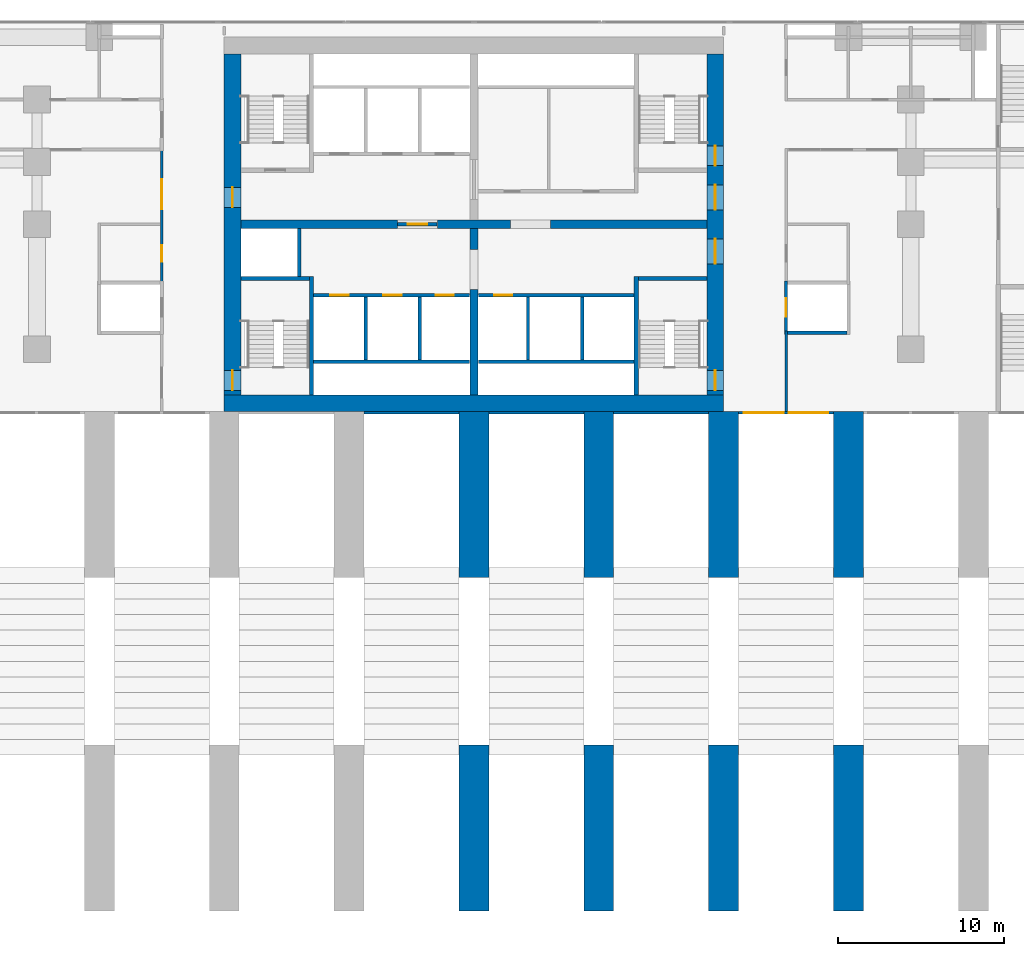
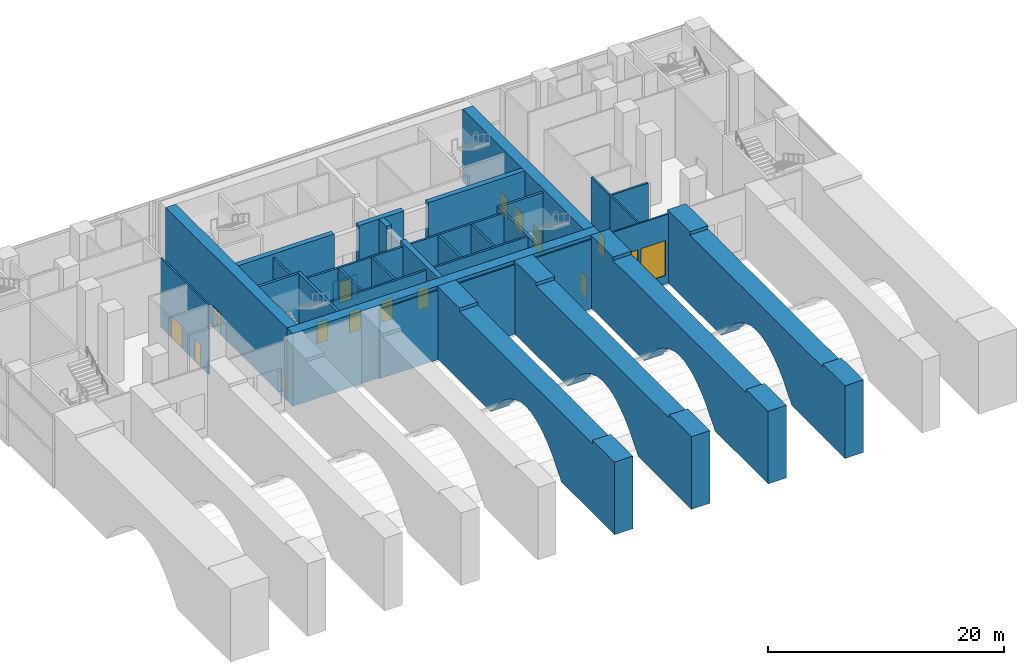
# One storey, part 6 of 15: 34 walls, 14 doors, 2 windows, 16 openings.
"""IFC4 building model written with IfcOpenShell, lengths in metres."""

import ifcopenshell
import ifcopenshell.guid

model = None  # the IFC model being written
_history = None  # IfcOwnerHistory: only IFC2X3 demands one
_inside = {}  # id of a spatial element -> (the spatial element, [elements in it])
_under = {}  # id of a project, library or spatial element -> (it, [spatial elements below it])
_declared = {}  # id of a project -> (the project, [libraries it declares])
_typed = {}  # id of a type object -> (the type object, [elements of that type])
_made_of = {}  # id of a material, layer set ... -> (it, [elements and type objects made of it])


def new_model(schema):
    """Start an empty IFC model of exactly this schema.

    Asked for "IFC4X3", IfcOpenShell would pick the latest addendum, in which some entities
    have other attributes; the version numbers below select the first issue.
    IFC2X3 requires an IfcOwnerHistory on every rooted entity: one is made here for all.
    """
    global model, _history
    if schema == "IFC4X3":
        model = ifcopenshell.file(schema_version=(4, 3, 0, 0))
    else:
        model = ifcopenshell.file(schema=schema)
    _inside.clear()
    _under.clear()
    _declared.clear()
    _typed.clear()
    _made_of.clear()
    _history = None
    if model.schema == "IFC2X3":
        org = make("IfcOrganization", Name="unknown")
        user = make(
            "IfcPersonAndOrganization",
            ThePerson=make("IfcPerson", FamilyName="unknown"),
            TheOrganization=org,
        )
        app = make(
            "IfcApplication",
            ApplicationDeveloper=org,
            Version="unknown",
            ApplicationFullName="unknown",
            ApplicationIdentifier="unknown",
        )
        _history = make(
            "IfcOwnerHistory",
            OwningUser=user,
            OwningApplication=app,
            ChangeAction="ADDED",
            CreationDate=0,
        )
    return model


def make(cls, **values):
    """One entity of the class cls with the attributes given. An attribute that is None is left unset."""
    return model.create_entity(
        cls, **{name: value for name, value in values.items() if value is not None}
    )


def rooted(cls, **values):
    """An entity with a GlobalId (a new one), such as an element, a storey or a relation."""
    return make(cls, GlobalId=ifcopenshell.guid.new(), OwnerHistory=_history, **values)


def si_unit(unit_type, name, prefix=None):
    """IfcSIUnit, for example si_unit("LENGTHUNIT", "METRE", prefix="MILLI")."""
    return make("IfcSIUnit", UnitType=unit_type, Prefix=prefix, Name=name)


def assignment(units):
    """IfcUnitAssignment: the units of a project."""
    return None if units is None else make("IfcUnitAssignment", Units=units)


def point(xyz):
    """IfcCartesianPoint."""
    return None if xyz is None else make("IfcCartesianPoint", Coordinates=xyz)


def direction(xyz):
    """IfcDirection."""
    return None if xyz is None else make("IfcDirection", DirectionRatios=xyz)


def frame(location, z_axis=None, x_axis=None):
    """IfcAxis2Placement3D, a coordinate frame: its origin and axes. An axis left out is left unset."""
    return make(
        "IfcAxis2Placement3D",
        Location=point(location),
        Axis=direction(z_axis),
        RefDirection=direction(x_axis),
    )


def frame_2d(location, x_axis=None):
    """IfcAxis2Placement2D, a coordinate frame in the plane: its origin and x axis."""
    return make(
        "IfcAxis2Placement2D", Location=point(location), RefDirection=direction(x_axis)
    )


def origin():
    """The frame at (0, 0, 0) with its axes left unset."""
    return frame((0.0, 0.0, 0.0))


def place(relative_to, where):
    """IfcLocalPlacement: puts the frame where relative to a parent placement (None: the world)."""
    return make(
        "IfcLocalPlacement", PlacementRelTo=relative_to, RelativePlacement=where
    )


def context(
    kind, dimensions, precision=None, world=None, true_north=None, identifier=None
):
    """IfcGeometricRepresentationContext, for example the 3D "Model" context."""
    return make(
        "IfcGeometricRepresentationContext",
        ContextIdentifier=identifier,
        ContextType=kind,
        CoordinateSpaceDimension=dimensions,
        Precision=precision,
        WorldCoordinateSystem=world,
        TrueNorth=true_north,
    )


def subcontext(parent, identifier, kind, view, scale=None):
    """IfcGeometricRepresentationSubContext, for example "Body" below "Model"."""
    return make(
        "IfcGeometricRepresentationSubContext",
        ContextIdentifier=identifier,
        ContextType=kind,
        ParentContext=parent,
        TargetScale=scale,
        TargetView=view,
    )


def project(units=None, contexts=None):
    """IfcProject with its units and contexts."""
    return rooted(
        "IfcProject",
        Name="project",
        RepresentationContexts=contexts,
        UnitsInContext=assignment(units),
    )


def spatial(cls, under=None, at=None, **own):
    """A site, building, storey or space (cls), placed at a placement, below another one or the project."""
    s = rooted(cls, ObjectPlacement=at, **own)
    if under is not None:
        _under.setdefault(under.id(), (under, []))[1].append(s)
    return s


def polyline(points):
    """IfcPolyline through the points."""
    return make("IfcPolyline", Points=[point(p) for p in points])


def profile(cls, at=None, kind="AREA", **sizes):
    """A parametric profile (cls). Its sizes go by their IFC names, for example OverallWidth=200.0."""
    return make(cls, ProfileType=kind, Position=at, **sizes)


def rectangle(**sizes):
    """IfcRectangleProfileDef."""
    return profile("IfcRectangleProfileDef", **sizes)


def outline(outer, holes=None, kind="AREA"):
    """IfcArbitraryClosedProfileDef: a profile drawn as a closed curve; with holes, ...WithVoids."""
    if holes is None:
        return make("IfcArbitraryClosedProfileDef", ProfileType=kind, OuterCurve=outer)
    return make(
        "IfcArbitraryProfileDefWithVoids",
        ProfileType=kind,
        OuterCurve=outer,
        InnerCurves=holes,
    )


def extrude(swept, where, along, depth):
    """IfcExtrudedAreaSolid: the profile swept, set in the frame where, extruded along a direction by depth."""
    return make(
        "IfcExtrudedAreaSolid",
        SweptArea=swept,
        Position=where,
        ExtrudedDirection=direction(along),
        Depth=depth,
    )


def shape(context_of_items, identifier, shape_type, items):
    """IfcShapeRepresentation: the items that make up one representation, for example the "Body"."""
    return make(
        "IfcShapeRepresentation",
        ContextOfItems=context_of_items,
        RepresentationIdentifier=identifier,
        RepresentationType=shape_type,
        Items=items,
    )


def material(Name=None, Category=None):
    """IfcMaterial."""
    return make("IfcMaterial", Name=Name, Category=Category)


def layer(
    of_material, thickness, ventilated=None, Name=None, Category=None, Priority=None
):
    """IfcMaterialLayer: one layer of a wall or slab, of a material (None: an air gap)."""
    return make(
        "IfcMaterialLayer",
        Material=of_material,
        LayerThickness=thickness,
        IsVentilated=ventilated,
        Name=Name,
        Category=Category,
        Priority=Priority,
    )


def layer_set(layers, Name=None):
    """IfcMaterialLayerSet."""
    return make("IfcMaterialLayerSet", MaterialLayers=layers, LayerSetName=Name)


def made_of(thing, what):
    """Note that an element or type object is made of a material, layer set ...; save() writes the relation."""
    if what is not None:
        _made_of.setdefault(what.id(), (what, []))[1].append(thing)
    return thing


def type_object(cls, material=None, **own):
    """A type object (cls), such as IfcWallType, which elements share."""
    return made_of(rooted(cls, **own), material)


def element(
    cls,
    number,
    at=None,
    inside=None,
    cuts=None,
    type_object=None,
    material=None,
    context=None,
    identifier="Body",
    shape_type=None,
    held_by="IfcProductDefinitionShape",
    body=None,
    shapes=None,
    **own,
):
    """One element of the class cls, such as IfcWall. Its Tag is "e" and its number.

    at: its placement. inside: the storey or other place that contains it. cuts: it is an
    opening in that element (IfcRelVoidsElement). A single representation is given by context,
    identifier, shape_type and body (its items); several are given by shapes. held_by: the class
    of the entity that holds the representations. save() writes the other relations.
    """
    e = rooted(cls, Tag="e%d" % number, ObjectPlacement=at, **own)
    if body is not None:
        shapes = [shape(context, identifier, shape_type, body)]
    if shapes is not None:
        e.Representation = make(held_by, Representations=shapes)
    if inside is not None:
        _inside.setdefault(inside.id(), (inside, []))[1].append(e)
    if cuts is not None:
        rooted(
            "IfcRelVoidsElement", RelatingBuildingElement=cuts, RelatedOpeningElement=e
        )
    if type_object is not None:
        _typed.setdefault(type_object.id(), (type_object, []))[1].append(e)
    return made_of(e, material)


def fill(opening, filler):
    """IfcRelFillsElement: the door or window that sits in an opening."""
    return rooted(
        "IfcRelFillsElement",
        RelatingOpeningElement=opening,
        RelatedBuildingElement=filler,
    )


def aggregate(whole, parts):
    """IfcRelAggregates: a whole, such as a stair, and the parts it consists of."""
    return rooted("IfcRelAggregates", RelatingObject=whole, RelatedObjects=parts)


def save(model, path):
    """Write the relations noted so far, then the file.

    IfcRelAggregates (storeys below a building ...), IfcRelContainedInSpatialStructure (elements
    in a storey), IfcRelDefinesByType, IfcRelAssociatesMaterial and IfcRelDeclares: one each for
    every whole, place, type object, material and project.
    """
    for whole, parts in _under.values():
        aggregate(whole, parts)
    for where, things in _inside.values():
        rooted(
            "IfcRelContainedInSpatialStructure",
            RelatedElements=things,
            RelatingStructure=where,
        )
    for kind, things in _typed.values():
        rooted("IfcRelDefinesByType", RelatedObjects=things, RelatingType=kind)
    for what, things in _made_of.values():
        rooted("IfcRelAssociatesMaterial", RelatedObjects=things, RelatingMaterial=what)
    for by, libraries in _declared.values():
        rooted("IfcRelDeclares", RelatingContext=by, RelatedDefinitions=libraries)
    model.write(path)


model = new_model("IFC4")

# Units and contexts
model_context = context("Model", 3, precision=1e-05, world=origin(), true_north=direction((0.0, 1.0)))
body_context = subcontext(model_context, "Body", "Model", "MODEL_VIEW")
ifc_project = project(units=[si_unit("LENGTHUNIT", "METRE"), si_unit("AREAUNIT", "SQUARE_METRE"), si_unit("VOLUMEUNIT", "CUBIC_METRE"), si_unit("PLANEANGLEUNIT", "RADIAN"), si_unit("MASSUNIT", "GRAM", prefix="KILO")], contexts=[model_context])

# Site, building, storey
site_placement = place(None, origin())
site = spatial("IfcSite", under=ifc_project, at=site_placement, CompositionType="ELEMENT")
building_placement = place(site_placement, origin())
building = spatial("IfcBuilding", under=site, at=building_placement, Name="Pilkhan Gate Tower", CompositionType="ELEMENT")
storey_placement = place(building_placement, frame((0.0, 0.0, 16.5)))
storey = spatial("IfcBuildingStorey", under=building, at=storey_placement, Name="L02", CompositionType="ELEMENT", Elevation=16.5)

# Walls
ifc_material_1 = material(Name="Concrete C70/85", Category="concrete")
ifc_layer_1 = layer(ifc_material_1, 1.800048828125)
ifc_layer_set_1 = layer_set([ifc_layer_1], Name="Arch wall AW1800 C70/85")
wall_type_1 = type_object("IfcWallType", Name="Arch wall AW1800 C70/85", PredefinedType="SHEAR", material=ifc_layer_set_1)
for number, where, z_axis, x_axis, name in (
    (1, (75.89990234375, 62.220458984375, 0.0), (1.0, 0.0, 0.0), (0.0, 1.0, 0.0), "Arch wall +0.00 L02-1"),
    (2, (83.39990234375, 62.220458984375, 0.0), (1.0, 0.0, 0.0), (0.0, 1.0, 0.0), "Arch wall +7.50 L02-1"),
    (3, (90.89990234375, 62.220458984375, 0.0), (1.0, 0.0, 0.0), (0.0, 1.0, 0.0), "Arch wall +15.00 L02-1"),
    (4, (98.39990234375, 62.220458984375, 0.0), (1.0, 0.0, 0.0), (0.0, 1.0, 0.0), "Arch wall +22.50 L02-1"),
):
    element("IfcWall", number, at=place(storey_placement, frame(where, z_axis=z_axis, x_axis=x_axis)), inside=storey, type_object=wall_type_1, Name=name, PredefinedType="SHEAR", context=body_context, shape_type="SweptSolid", body=[
        extrude(outline(polyline([(0.0, 0.0), (9.029541015625, 0.0), (9.029541015625, 7.5), (5.279541015625, 7.5), (5.279541015625, 7.14990234375), (-17.220458984375, 7.14990234375), (-17.220458984375, 7.5), (-20.970458984375, 7.5), (-20.970458984375, 0.0), (-11.94091796875, 0.0), (-11.595458984375, 0.487548828125), (-10.657958984375, 1.606689453125), (-9.720458984375, 2.522216796875), (-8.782958984375, 3.234375), (-7.845458984375, 3.7431640625), (-6.907958984375, 4.04833984375), (-5.970458984375, 4.14990234375), (-5.032958984375, 4.04833984375), (-4.095458984375, 3.7431640625), (-3.157958984375, 3.234375), (-2.220458984375, 2.522216796875), (-1.282958984375, 1.606689453125), (-0.345458984375, 0.487548828125), (0.0, 0.0)])), origin(), (0.0, 0.0, -1.0), 1.800048828125),
    ])
ifc_layer_2 = layer(ifc_material_1, 1.0)
ifc_layer_set_2 = layer_set([ifc_layer_2], Name="Core wall CW1000 C70/85")
wall_type_2 = type_object("IfcWallType", Name="Core wall CW1000 C70/85", PredefinedType="SHEAR", material=ifc_layer_set_2)
wall_1_placement = place(storey_placement, frame((60.0, 71.75, 0.0), z_axis=(0.0, 0.0, 1.0), x_axis=(1.0, 0.0, 0.0)))
element("IfcWall", 5, at=wall_1_placement, inside=storey, type_object=wall_type_2, Name="Core wall S L02", PredefinedType="SHEAR", context=body_context, shape_type="SweptSolid", body=[
    extrude(rectangle(XDim=30.0, YDim=1.0, at=frame_2d((15.0, 0.0))), origin(), (0.0, 0.0, 1.0), 7.5),
])

# Wall, openings, doors
wall_2_placement = place(storey_placement, frame((89.5, 72.25, 0.0), z_axis=(0.0, 0.0, 1.0), x_axis=(0.0, 1.0, 0.0)))
wall_2 = element("IfcWall", 6, at=wall_2_placement, inside=storey, type_object=wall_type_2, Name="Core wall E L02", PredefinedType="SHEAR", context=body_context, shape_type="SweptSolid", body=[
    extrude(rectangle(XDim=20.5, YDim=1.0, at=frame_2d((10.25, 0.0))), origin(), (0.0, 0.0, 1.0), 7.5),
])
opening_1_placement = place(wall_2_placement, frame((0.27490234375, 0.0, 0.0)))
opening_1 = element("IfcOpeningElement", 7, at=opening_1_placement, cuts=wall_2, Name="Opening L02-03", PredefinedType="OPENING", context=body_context, shape_type="SweptSolid", body=[
    extrude(rectangle(XDim=1.199951171875, YDim=2.199951171875, at=frame_2d((0.60009765625, 1.10009765625))), frame((0.0, 0.510009765625, 0.0), z_axis=(0.0, -1.0, 0.0), x_axis=(1.0, 0.0, 0.0)), (0.0, 0.0, 1.0), 1.02001953125),
])
opening_2_placement = place(wall_2_placement, frame((13.77490234375, 0.0, 0.0)))
opening_2 = element("IfcOpeningElement", 8, at=opening_2_placement, cuts=wall_2, Name="Opening L02-05", PredefinedType="OPENING", context=body_context, shape_type="SweptSolid", body=[
    extrude(rectangle(XDim=1.199951171875, YDim=2.199951171875, at=frame_2d((0.60009765625, 1.10009765625))), frame((0.0, 0.510009765625, 0.0), z_axis=(0.0, -1.0, 0.0), x_axis=(1.0, 0.0, 0.0)), (0.0, 0.0, 1.0), 1.02001953125),
])
opening_3_placement = place(wall_2_placement, frame((7.875, 0.0, 0.0)))
opening_3 = element("IfcOpeningElement", 9, at=opening_3_placement, cuts=wall_2, Name="Opening L02-21", PredefinedType="OPENING", context=body_context, shape_type="SweptSolid", body=[
    extrude(rectangle(XDim=1.5, YDim=2.199951171875, at=frame_2d((0.75, 1.10009765625))), frame((0.0, 0.510009765625, 0.0), z_axis=(0.0, -1.0, 0.0), x_axis=(1.0, 0.0, 0.0)), (0.0, 0.0, 1.0), 1.02001953125),
])
opening_4_placement = place(wall_2_placement, frame((11.125, 0.0, 0.0)))
opening_4 = element("IfcOpeningElement", 10, at=opening_4_placement, cuts=wall_2, Name="Opening L02-23", PredefinedType="OPENING", context=body_context, shape_type="SweptSolid", body=[
    extrude(rectangle(XDim=1.5, YDim=2.199951171875, at=frame_2d((0.75, 1.10009765625))), frame((0.0, 0.510009765625, 0.0), z_axis=(0.0, -1.0, 0.0), x_axis=(1.0, 0.0, 0.0)), (0.0, 0.0, 1.0), 1.02001953125),
])
ifc_material_2 = material(Name="Steel framed glazed door, 60 minute fire resisting", Category="steel")
door_type_1 = type_object("IfcDoorType", Name="Lobby door D09 1500x2200", OperationType="DOUBLE_DOOR_SINGLE_SWING", PredefinedType="DOOR", material=ifc_material_2)
door_1_placement = place(opening_3_placement, origin())
door_1 = element("IfcDoor", 11, at=door_1_placement, inside=storey, type_object=door_type_1, Name="Core door", OperationType="DOUBLE_DOOR_SINGLE_SWING", OverallHeight=2.199951171875, OverallWidth=1.5, PredefinedType="DOOR", context=body_context, shape_type="SweptSolid", body=[
    extrude(rectangle(XDim=1.5, YDim=2.199951171875, at=frame_2d((0.75, 1.10009765625))), frame((0.0, 0.02490234375, 0.0), z_axis=(0.0, -1.0, 0.0), x_axis=(1.0, 0.0, 0.0)), (0.0, 0.0, 1.0), 0.050048828125),
])
fill(opening_3, door_1)
door_2_placement = place(opening_4_placement, origin())
door_2 = element("IfcDoor", 12, at=door_2_placement, inside=storey, type_object=door_type_1, Name="Core door", OperationType="DOUBLE_DOOR_SINGLE_SWING", OverallHeight=2.199951171875, OverallWidth=1.5, PredefinedType="DOOR", context=body_context, shape_type="SweptSolid", body=[
    extrude(rectangle(XDim=1.5, YDim=2.199951171875, at=frame_2d((0.75, 1.10009765625))), frame((0.0, 0.02490234375, 0.0), z_axis=(0.0, -1.0, 0.0), x_axis=(1.0, 0.0, 0.0)), (0.0, 0.0, 1.0), 0.050048828125),
])
fill(opening_4, door_2)
ifc_material_3 = material(Name="Steel door, 120 minute fire resisting, panic bar", Category="steel")
door_type_2 = type_object("IfcDoorType", Name="Stair door D11 1200x2200", OperationType="SINGLE_SWING_LEFT", PredefinedType="DOOR", material=ifc_material_3)
door_3_placement = place(opening_1_placement, origin())
door_3 = element("IfcDoor", 13, at=door_3_placement, inside=storey, type_object=door_type_2, Name="Stair ST1 door", OperationType="SINGLE_SWING_LEFT", OverallHeight=2.199951171875, OverallWidth=1.199951171875, PredefinedType="DOOR", context=body_context, shape_type="SweptSolid", body=[
    extrude(rectangle(XDim=1.199951171875, YDim=2.199951171875, at=frame_2d((0.60009765625, 1.10009765625))), frame((0.0, 0.02490234375, 0.0), z_axis=(0.0, -1.0, 0.0), x_axis=(1.0, 0.0, 0.0)), (0.0, 0.0, 1.0), 0.050048828125),
])
fill(opening_1, door_3)
door_4_placement = place(opening_2_placement, origin())
door_4 = element("IfcDoor", 14, at=door_4_placement, inside=storey, type_object=door_type_2, Name="Stair ST4 door", OperationType="SINGLE_SWING_LEFT", OverallHeight=2.199951171875, OverallWidth=1.199951171875, PredefinedType="DOOR", context=body_context, shape_type="SweptSolid", body=[
    extrude(rectangle(XDim=1.199951171875, YDim=2.199951171875, at=frame_2d((0.60009765625, 1.10009765625))), frame((0.0, 0.02490234375, 0.0), z_axis=(0.0, -1.0, 0.0), x_axis=(1.0, 0.0, 0.0)), (0.0, 0.0, 1.0), 0.050048828125),
])
fill(opening_2, door_4)

wall_3_placement = place(storey_placement, frame((60.5, 92.75, 0.0), z_axis=(0.0, 0.0, 1.0), x_axis=(0.0, -1.0, 0.0)))
wall_3 = element("IfcWall", 15, at=wall_3_placement, inside=storey, type_object=wall_type_2, Name="Core wall W L02", PredefinedType="SHEAR", context=body_context, shape_type="SweptSolid", body=[
    extrude(rectangle(XDim=20.5, YDim=1.0, at=frame_2d((10.25, 0.0))), origin(), (0.0, 0.0, 1.0), 7.5),
])
opening_5_placement = place(wall_3_placement, frame((19.02490234375, 0.0, 0.0)))
opening_5 = element("IfcOpeningElement", 16, at=opening_5_placement, cuts=wall_3, Name="Opening L02-04", PredefinedType="OPENING", context=body_context, shape_type="SweptSolid", body=[
    extrude(rectangle(XDim=1.199951171875, YDim=2.199951171875, at=frame_2d((0.60009765625, 1.10009765625))), frame((0.0, 0.510009765625, 0.0), z_axis=(0.0, -1.0, 0.0), x_axis=(1.0, 0.0, 0.0)), (0.0, 0.0, 1.0), 1.02001953125),
])
opening_6_placement = place(wall_3_placement, frame((8.02490234375, 0.0, 0.0)))
opening_6 = element("IfcOpeningElement", 17, at=opening_6_placement, cuts=wall_3, Name="Opening L02-22", PredefinedType="OPENING", context=body_context, shape_type="SweptSolid", body=[
    extrude(rectangle(XDim=1.199951171875, YDim=2.199951171875, at=frame_2d((0.60009765625, 1.10009765625))), frame((0.0, 0.510009765625, 0.0), z_axis=(0.0, -1.0, 0.0), x_axis=(1.0, 0.0, 0.0)), (0.0, 0.0, 1.0), 1.02001953125),
])
ifc_material_4 = material(Name="Steel door, 120 minute fire resisting, self-closing", Category="steel")
door_type_3 = type_object("IfcDoorType", Name="Firefighting lobby door D10 1200x2200", OperationType="SINGLE_SWING_LEFT", PredefinedType="DOOR", material=ifc_material_4)
door_5_placement = place(opening_6_placement, origin())
door_5 = element("IfcDoor", 18, at=door_5_placement, inside=storey, type_object=door_type_3, Name="Core door", OperationType="SINGLE_SWING_RIGHT", OverallHeight=2.199951171875, OverallWidth=1.199951171875, PredefinedType="DOOR", context=body_context, shape_type="SweptSolid", body=[
    extrude(rectangle(XDim=1.199951171875, YDim=2.199951171875, at=frame_2d((0.60009765625, 1.10009765625))), frame((0.0, 0.02490234375, 0.0), z_axis=(0.0, -1.0, 0.0), x_axis=(1.0, 0.0, 0.0)), (0.0, 0.0, 1.0), 0.050048828125),
])
fill(opening_6, door_5)
door_6_placement = place(opening_5_placement, origin())
door_6 = element("IfcDoor", 19, at=door_6_placement, inside=storey, type_object=door_type_2, Name="Stair ST2 door", OperationType="SINGLE_SWING_LEFT", OverallHeight=2.199951171875, OverallWidth=1.199951171875, PredefinedType="DOOR", context=body_context, shape_type="SweptSolid", body=[
    extrude(rectangle(XDim=1.199951171875, YDim=2.199951171875, at=frame_2d((0.60009765625, 1.10009765625))), frame((0.0, 0.02490234375, 0.0), z_axis=(0.0, -1.0, 0.0), x_axis=(1.0, 0.0, 0.0)), (0.0, 0.0, 1.0), 0.050048828125),
])
fill(opening_5, door_6)

# Walls
ifc_material_5 = material(Name="Pale anodised aluminium, clear laminated glazing", Category="aluminium")
ifc_layer_3 = layer(ifc_material_5, 0.14990234375)
ifc_layer_set_3 = layer_set([ifc_layer_3], Name="Facade infill wall IW150")
wall_type_3 = type_object("IfcWallType", Name="Facade infill wall IW150", PredefinedType="SOLIDWALL", material=ifc_layer_set_3)
for number, where, z_axis, x_axis, name in (
    (20, (68.39990234375, 71.175048828125, 0.0), (0.0, 0.0, 1.0), (1.0, 0.0, 0.0), "Shopfront wall L02"),
    (21, (75.89990234375, 71.175048828125, 0.0), (0.0, 0.0, 1.0), (1.0, 0.0, 0.0), "Shopfront wall L02"),
    (22, (83.39990234375, 71.175048828125, 0.0), (0.0, 0.0, 1.0), (1.0, 0.0, 0.0), "Shopfront wall L02"),
):
    element("IfcWall", number, at=place(storey_placement, frame(where, z_axis=z_axis, x_axis=x_axis)), inside=storey, type_object=wall_type_3, Name=name, PredefinedType="SOLIDWALL", context=body_context, shape_type="SweptSolid", body=[
        extrude(rectangle(XDim=5.7001953125, YDim=0.14990234375, at=frame_2d((2.85009765625, 0.0))), origin(), (0.0, 0.0, 1.0), 7.14990234375),
    ])

# Wall, openings, windows
wall_4_placement = place(storey_placement, frame((90.89990234375, 71.175048828125, 0.0), z_axis=(0.0, 0.0, 1.0), x_axis=(1.0, 0.0, 0.0)))
wall_4 = element("IfcWall", 23, at=wall_4_placement, inside=storey, type_object=wall_type_3, Name="Shopfront wall L02", PredefinedType="SOLIDWALL", context=body_context, shape_type="SweptSolid", body=[
    extrude(rectangle(XDim=5.7001953125, YDim=0.14990234375, at=frame_2d((2.85009765625, 0.0))), origin(), (0.0, 0.0, 1.0), 7.14990234375),
])
opening_7_placement = place(wall_4_placement, frame((0.300048828125, 0.0, 0.89990234375)))
opening_7 = element("IfcOpeningElement", 24, at=opening_7_placement, cuts=wall_4, Name="Opening WS2", PredefinedType="OPENING", context=body_context, shape_type="SweptSolid", body=[
    extrude(rectangle(XDim=2.39990234375, YDim=3.60009765625, at=frame_2d((1.199951171875, 1.800048828125))), frame((0.0, 0.0849609375, 0.0), z_axis=(0.0, -1.0, 0.0), x_axis=(1.0, 0.0, 0.0)), (0.0, 0.0, 1.0), 0.169921875),
])
opening_8_placement = place(wall_4_placement, frame((3.0, 0.0, 0.89990234375)))
opening_8 = element("IfcOpeningElement", 25, at=opening_8_placement, cuts=wall_4, Name="Opening WS2", PredefinedType="OPENING", context=body_context, shape_type="SweptSolid", body=[
    extrude(rectangle(XDim=2.39990234375, YDim=3.60009765625, at=frame_2d((1.199951171875, 1.800048828125))), frame((0.0, 0.0849609375, 0.0), z_axis=(0.0, -1.0, 0.0), x_axis=(1.0, 0.0, 0.0)), (0.0, 0.0, 1.0), 0.169921875),
])
window_type = type_object("IfcWindowType", Name="Shopfront window WS2 2400x3600", PartitioningType="SINGLE_PANEL", PredefinedType="WINDOW", material=ifc_material_5)
window_1_placement = place(opening_7_placement, origin())
window_1 = element("IfcWindow", 26, at=window_1_placement, inside=storey, type_object=window_type, Name="Shopfront window L02", OverallHeight=3.60009765625, OverallWidth=2.39990234375, PartitioningType="SINGLE_PANEL", PredefinedType="WINDOW", context=body_context, shape_type="SweptSolid", body=[
    extrude(rectangle(XDim=2.39990234375, YDim=3.60009765625, at=frame_2d((1.199951171875, 1.800048828125))), frame((0.0, 0.030029296875, 0.0), z_axis=(0.0, -1.0, 0.0), x_axis=(1.0, 0.0, 0.0)), (0.0, 0.0, 1.0), 0.06005859375),
])
fill(opening_7, window_1)
window_2_placement = place(opening_8_placement, origin())
window_2 = element("IfcWindow", 27, at=window_2_placement, inside=storey, type_object=window_type, Name="Shopfront window L02", OverallHeight=3.60009765625, OverallWidth=2.39990234375, PartitioningType="SINGLE_PANEL", PredefinedType="WINDOW", context=body_context, shape_type="SweptSolid", body=[
    extrude(rectangle(XDim=2.39990234375, YDim=3.60009765625, at=frame_2d((1.199951171875, 1.800048828125))), frame((0.0, 0.030029296875, 0.0), z_axis=(0.0, -1.0, 0.0), x_axis=(1.0, 0.0, 0.0)), (0.0, 0.0, 1.0), 0.06005859375),
])
fill(opening_8, window_2)

# Wall, opening, door
ifc_material_6 = material(Name="Dense blockwork", Category="masonry")
ifc_layer_4 = layer(ifc_material_6, 0.199951171875)
ifc_layer_set_4 = layer_set([ifc_layer_4], Name="Lobby wall LW200")
wall_type_4 = type_object("IfcWallType", Name="Lobby wall LW200", PredefinedType="PARTITIONING", material=ifc_layer_set_4)
wall_5_placement = place(storey_placement, frame((70.409912109375, 82.5, 0.0), z_axis=(0.0, 0.0, 1.0), x_axis=(1.0, 0.0, 0.0)))
wall_5 = element("IfcWall", 28, at=wall_5_placement, inside=storey, type_object=wall_type_4, Name="Partition L02", PredefinedType="PARTITIONING", context=body_context, shape_type="SweptSolid", body=[
    extrude(rectangle(XDim=2.380126953125, YDim=0.199951171875, at=frame_2d((1.18994140625, 0.0))), origin(), (0.0, 0.0, 1.0), 2.39990234375),
])
opening_9_placement = place(wall_5_placement, frame((0.60009765625, 0.0, 0.0)))
opening_9 = element("IfcOpeningElement", 29, at=opening_9_placement, cuts=wall_5, Name="Opening L02-01", PredefinedType="OPENING", context=body_context, shape_type="SweptSolid", body=[
    extrude(rectangle(XDim=1.199951171875, YDim=2.199951171875, at=frame_2d((0.60009765625, 1.10009765625))), frame((0.0, 0.10986328125, 0.0), z_axis=(0.0, -1.0, 0.0), x_axis=(1.0, 0.0, 0.0)), (0.0, 0.0, 1.0), 0.219970703125),
])
door_7_placement = place(opening_9_placement, origin())
door_7 = element("IfcDoor", 30, at=door_7_placement, inside=storey, type_object=door_type_3, Name="Firefighting lobby door", OperationType="SINGLE_SWING_LEFT", OverallHeight=2.199951171875, OverallWidth=1.199951171875, PredefinedType="DOOR", context=body_context, shape_type="SweptSolid", body=[
    extrude(rectangle(XDim=1.199951171875, YDim=2.199951171875, at=frame_2d((0.60009765625, 1.10009765625))), frame((0.0, 0.02490234375, 0.0), z_axis=(0.0, -1.0, 0.0), x_axis=(1.0, 0.0, 0.0)), (0.0, 0.0, 1.0), 0.050048828125),
])
fill(opening_9, door_7)

# Wall, openings, doors
ifc_material_7 = material(Name="Blockwork partition, plastered both sides", Category="masonry")
ifc_layer_5 = layer(ifc_material_7, 0.14990234375)
ifc_layer_set_5 = layer_set([ifc_layer_5], Name="Partition PW150")
wall_type_5 = type_object("IfcWallType", Name="Partition PW150", PredefinedType="PARTITIONING", material=ifc_layer_set_5)
wall_6_placement = place(storey_placement, frame((56.25, 78.89990234375, 0.0), z_axis=(0.0, 0.0, 1.0), x_axis=(0.0, 1.0, 0.0)))
wall_6 = element("IfcWall", 31, at=wall_6_placement, inside=storey, type_object=wall_type_5, Name="Partition L02", PredefinedType="PARTITIONING", context=body_context, shape_type="SweptSolid", body=[
    extrude(rectangle(XDim=8.10009765625, YDim=0.14990234375, at=frame_2d((4.050048828125, 0.0))), origin(), (0.0, 0.0, 1.0), 7.14990234375),
])
opening_10_placement = place(wall_6_placement, frame((4.5, 0.0, 0.0)))
opening_10 = element("IfcOpeningElement", 32, at=opening_10_placement, cuts=wall_6, Name="Opening L02-12", PredefinedType="OPENING", context=body_context, shape_type="SweptSolid", body=[
    extrude(rectangle(XDim=1.800048828125, YDim=2.199951171875, at=frame_2d((0.89990234375, 1.10009765625))), frame((0.0, 0.0849609375, 0.0), z_axis=(0.0, -1.0, 0.0), x_axis=(1.0, 0.0, 0.0)), (0.0, 0.0, 1.0), 0.169921875),
])
opening_11_placement = place(wall_6_placement, frame((1.35009765625, 0.0, 0.0)))
opening_11 = element("IfcOpeningElement", 33, at=opening_11_placement, cuts=wall_6, Name="Opening L02-28", PredefinedType="OPENING", context=body_context, shape_type="SweptSolid", body=[
    extrude(rectangle(XDim=1.0, YDim=2.199951171875, at=frame_2d((0.5, 1.10009765625))), frame((0.0, 0.0849609375, 0.0), z_axis=(0.0, -1.0, 0.0), x_axis=(1.0, 0.0, 0.0)), (0.0, 0.0, 1.0), 0.169921875),
])
ifc_material_8 = material(Name="Timber flush door, outward opening, 30 minute fire resisting", Category="wood")
door_type_4 = type_object("IfcDoorType", Name="Accessible toilet door D07 1000x2200", OperationType="SINGLE_SWING_LEFT", PredefinedType="DOOR", material=ifc_material_8)
door_8_placement = place(opening_11_placement, origin())
door_8 = element("IfcDoor", 34, at=door_8_placement, inside=storey, type_object=door_type_4, Name="Accessible toilet door", OperationType="SINGLE_SWING_RIGHT", OverallHeight=2.199951171875, OverallWidth=1.0, PredefinedType="DOOR", context=body_context, shape_type="SweptSolid", body=[
    extrude(rectangle(XDim=1.0, YDim=2.199951171875, at=frame_2d((0.5, 1.10009765625))), frame((0.0, 0.02490234375, 0.0), z_axis=(0.0, -1.0, 0.0), x_axis=(1.0, 0.0, 0.0)), (0.0, 0.0, 1.0), 0.050048828125),
])
fill(opening_11, door_8)
ifc_material_9 = material(Name="Timber glazed double door, 30 minute fire resisting", Category="wood")
door_type_5 = type_object("IfcDoorType", Name="Double door D04 1800x2200", OperationType="DOUBLE_DOOR_SINGLE_SWING", PredefinedType="DOOR", material=ifc_material_9)
door_9_placement = place(opening_10_placement, origin())
door_9 = element("IfcDoor", 35, at=door_9_placement, inside=storey, type_object=door_type_5, Name="Ballroom door", OperationType="DOUBLE_DOOR_SINGLE_SWING", OverallHeight=2.199951171875, OverallWidth=1.800048828125, PredefinedType="DOOR", context=body_context, shape_type="SweptSolid", body=[
    extrude(rectangle(XDim=1.800048828125, YDim=2.199951171875, at=frame_2d((0.89990234375, 1.10009765625))), frame((0.0, 0.02490234375, 0.0), z_axis=(0.0, -1.0, 0.0), x_axis=(1.0, 0.0, 0.0)), (0.0, 0.0, 1.0), 0.050048828125),
])
fill(opening_10, door_9)

# Walls
wall_7_placement = place(storey_placement, frame((93.75, 71.25, 0.0), z_axis=(0.0, 0.0, 1.0), x_axis=(0.0, 1.0, 0.0)))
element("IfcWall", 36, at=wall_7_placement, inside=storey, type_object=wall_type_5, Name="Partition L02", PredefinedType="PARTITIONING", context=body_context, shape_type="SweptSolid", body=[
    extrude(rectangle(XDim=4.85009765625, YDim=0.14990234375, at=frame_2d((2.425048828125, 0.0))), origin(), (0.0, 0.0, 1.0), 7.14990234375),
])
ifc_material_10 = material(Name="Reinforced blockwork shaft wall, 120 minute fire resisting", Category="masonry")
ifc_layer_6 = layer(ifc_material_10, 0.199951171875)
ifc_layer_set_6 = layer_set([ifc_layer_6], Name="Shaft wall SW200")
wall_type_6 = type_object("IfcWallType", Name="Shaft wall SW200", PredefinedType="PARTITIONING", material=ifc_layer_set_6)
for number, where, z_axis, x_axis, name in (
    (37, (65.375, 74.25, 0.0), (0.0, 0.0, 1.0), (1.0, 0.0, 0.0), "Partition L02"),
    (38, (75.260009765625, 74.25, 0.0), (0.0, 0.0, 1.0), (1.0, 0.0, 0.0), "Partition L02"),
):
    element("IfcWall", number, at=place(storey_placement, frame(where, z_axis=z_axis, x_axis=x_axis)), inside=storey, type_object=wall_type_6, Name=name, PredefinedType="PARTITIONING", context=body_context, shape_type="SweptSolid", body=[
        extrude(rectangle(XDim=9.364990234375, YDim=0.199951171875, at=frame_2d((4.6826171875, 0.0))), origin(), (0.0, 0.0, 1.0), 7.14990234375),
    ])
wall_8_placement = place(storey_placement, frame((93.85009765625, 76.0, 0.0), z_axis=(0.0, 0.0, 1.0), x_axis=(1.0, 0.0, 0.0)))
element("IfcWall", 39, at=wall_8_placement, inside=storey, type_object=wall_type_6, Name="Partition L02", PredefinedType="PARTITIONING", context=body_context, shape_type="SweptSolid", body=[
    extrude(rectangle(XDim=3.5498046875, YDim=0.199951171875, at=frame_2d((1.77490234375, 0.0))), origin(), (0.0, 0.0, 1.0), 7.14990234375),
])

# Wall, openings, doors
wall_9_placement = place(storey_placement, frame((65.375, 78.25, 0.0), z_axis=(0.0, 0.0, 1.0), x_axis=(1.0, 0.0, 0.0)))
wall_9 = element("IfcWall", 40, at=wall_9_placement, inside=storey, type_object=wall_type_6, Name="Partition L02", PredefinedType="PARTITIONING", context=body_context, shape_type="SweptSolid", body=[
    extrude(rectangle(XDim=9.364990234375, YDim=0.199951171875, at=frame_2d((4.6826171875, 0.0))), origin(), (0.0, 0.0, 1.0), 7.14990234375),
])
opening_12_placement = place(wall_9_placement, frame((1.0, 0.0, 0.0)))
opening_12 = element("IfcOpeningElement", 41, at=opening_12_placement, cuts=wall_9, Name="Opening LD", PredefinedType="OPENING", context=body_context, shape_type="SweptSolid", body=[
    extrude(rectangle(XDim=1.10009765625, YDim=2.199951171875, at=frame_2d((0.550048828125, 1.10009765625))), frame((0.0, 0.10986328125, 0.0), z_axis=(0.0, -1.0, 0.0), x_axis=(1.0, 0.0, 0.0)), (0.0, 0.0, 1.0), 0.219970703125),
])
opening_13_placement = place(wall_9_placement, frame((4.175048828125, 0.0, 0.0)))
opening_13 = element("IfcOpeningElement", 42, at=opening_13_placement, cuts=wall_9, Name="Opening LD", PredefinedType="OPENING", context=body_context, shape_type="SweptSolid", body=[
    extrude(rectangle(XDim=1.10009765625, YDim=2.199951171875, at=frame_2d((0.550048828125, 1.10009765625))), frame((0.0, 0.10986328125, 0.0), z_axis=(0.0, -1.0, 0.0), x_axis=(1.0, 0.0, 0.0)), (0.0, 0.0, 1.0), 0.219970703125),
])
opening_14_placement = place(wall_9_placement, frame((7.324951171875, 0.0, 0.0)))
opening_14 = element("IfcOpeningElement", 43, at=opening_14_placement, cuts=wall_9, Name="Opening LD", PredefinedType="OPENING", context=body_context, shape_type="SweptSolid", body=[
    extrude(rectangle(XDim=1.10009765625, YDim=2.199951171875, at=frame_2d((0.550048828125, 1.10009765625))), frame((0.0, 0.10986328125, 0.0), z_axis=(0.0, -1.0, 0.0), x_axis=(1.0, 0.0, 0.0)), (0.0, 0.0, 1.0), 0.219970703125),
])
ifc_material_11 = material(Name="Stainless steel centre-opening landing door, 120 minute fire resisting", Category="steel")
door_type_6 = type_object("IfcDoorType", Name="Lift landing door LD 1100x2200", OperationType="DOUBLE_DOOR_SLIDING", PredefinedType="DOOR", material=ifc_material_11)
door_10_placement = place(opening_12_placement, origin())
door_10 = element("IfcDoor", 44, at=door_10_placement, inside=storey, type_object=door_type_6, Name="Landing door LR1", OperationType="DOUBLE_DOOR_SLIDING", OverallHeight=2.199951171875, OverallWidth=1.10009765625, PredefinedType="DOOR", context=body_context, shape_type="SweptSolid", body=[
    extrude(rectangle(XDim=1.10009765625, YDim=2.199951171875, at=frame_2d((0.550048828125, 1.10009765625))), frame((0.0, 0.02490234375, 0.0), z_axis=(0.0, -1.0, 0.0), x_axis=(1.0, 0.0, 0.0)), (0.0, 0.0, 1.0), 0.050048828125),
])
fill(opening_12, door_10)
door_11_placement = place(opening_13_placement, origin())
door_11 = element("IfcDoor", 45, at=door_11_placement, inside=storey, type_object=door_type_6, Name="Landing door LR2", OperationType="DOUBLE_DOOR_SLIDING", OverallHeight=2.199951171875, OverallWidth=1.10009765625, PredefinedType="DOOR", context=body_context, shape_type="SweptSolid", body=[
    extrude(rectangle(XDim=1.10009765625, YDim=2.199951171875, at=frame_2d((0.550048828125, 1.10009765625))), frame((0.0, 0.02490234375, 0.0), z_axis=(0.0, -1.0, 0.0), x_axis=(1.0, 0.0, 0.0)), (0.0, 0.0, 1.0), 0.050048828125),
])
fill(opening_13, door_11)
door_12_placement = place(opening_14_placement, origin())
door_12 = element("IfcDoor", 46, at=door_12_placement, inside=storey, type_object=door_type_6, Name="Landing door LR3", OperationType="DOUBLE_DOOR_SLIDING", OverallHeight=2.199951171875, OverallWidth=1.10009765625, PredefinedType="DOOR", context=body_context, shape_type="SweptSolid", body=[
    extrude(rectangle(XDim=1.10009765625, YDim=2.199951171875, at=frame_2d((0.550048828125, 1.10009765625))), frame((0.0, 0.02490234375, 0.0), z_axis=(0.0, -1.0, 0.0), x_axis=(1.0, 0.0, 0.0)), (0.0, 0.0, 1.0), 0.050048828125),
])
fill(opening_14, door_12)

# Wall, opening, door
wall_10_placement = place(storey_placement, frame((75.260009765625, 78.25, 0.0), z_axis=(0.0, 0.0, 1.0), x_axis=(1.0, 0.0, 0.0)))
wall_10 = element("IfcWall", 47, at=wall_10_placement, inside=storey, type_object=wall_type_6, Name="Partition L02", PredefinedType="PARTITIONING", context=body_context, shape_type="SweptSolid", body=[
    extrude(rectangle(XDim=9.364990234375, YDim=0.199951171875, at=frame_2d((4.6826171875, 0.0))), origin(), (0.0, 0.0, 1.0), 7.14990234375),
])
opening_15_placement = place(wall_10_placement, frame((0.949951171875, 0.0, 0.0)))
opening_15 = element("IfcOpeningElement", 48, at=opening_15_placement, cuts=wall_10, Name="Opening LD", PredefinedType="OPENING", context=body_context, shape_type="SweptSolid", body=[
    extrude(rectangle(XDim=1.10009765625, YDim=2.199951171875, at=frame_2d((0.550048828125, 1.10009765625))), frame((0.0, 0.10986328125, 0.0), z_axis=(0.0, -1.0, 0.0), x_axis=(1.0, 0.0, 0.0)), (0.0, 0.0, 1.0), 0.219970703125),
])
door_13_placement = place(opening_15_placement, origin())
door_13 = element("IfcDoor", 49, at=door_13_placement, inside=storey, type_object=door_type_6, Name="Landing door LR4", OperationType="DOUBLE_DOOR_SLIDING", OverallHeight=2.199951171875, OverallWidth=1.10009765625, PredefinedType="DOOR", context=body_context, shape_type="SweptSolid", body=[
    extrude(rectangle(XDim=1.10009765625, YDim=2.199951171875, at=frame_2d((0.550048828125, 1.10009765625))), frame((0.0, 0.02490234375, 0.0), z_axis=(0.0, -1.0, 0.0), x_axis=(1.0, 0.0, 0.0)), (0.0, 0.0, 1.0), 0.050048828125),
])
fill(opening_15, door_13)

# Walls
wall_11_placement = place(storey_placement, frame((64.5, 79.375, 0.0), z_axis=(0.0, 0.0, 1.0), x_axis=(0.0, 1.0, 0.0)))
element("IfcWall", 50, at=wall_11_placement, inside=storey, type_object=wall_type_6, Name="Partition L02", PredefinedType="PARTITIONING", context=body_context, shape_type="SweptSolid", body=[
    extrude(rectangle(XDim=2.864990234375, YDim=0.199951171875, at=frame_2d((1.4326171875, 0.0))), origin(), (0.0, 0.0, 1.0), 7.14990234375),
])
for number, where, z_axis, x_axis, name in (
    (51, (68.5, 74.35009765625, 0.0), (0.0, 0.0, 1.0), (0.0, 1.0, 0.0), "Partition L02"),
    (52, (71.75, 74.35009765625, 0.0), (0.0, 0.0, 1.0), (0.0, 1.0, 0.0), "Partition L02"),
    (53, (78.25, 74.35009765625, 0.0), (0.0, 0.0, 1.0), (0.0, 1.0, 0.0), "Partition L02"),
    (54, (81.5, 74.35009765625, 0.0), (0.0, 0.0, 1.0), (0.0, 1.0, 0.0), "Partition L02"),
):
    element("IfcWall", number, at=place(storey_placement, frame(where, z_axis=z_axis, x_axis=x_axis)), inside=storey, type_object=wall_type_6, Name=name, PredefinedType="PARTITIONING", context=body_context, shape_type="SweptSolid", body=[
        extrude(rectangle(XDim=3.7998046875, YDim=0.199951171875, at=frame_2d((1.89990234375, 0.0))), origin(), (0.0, 0.0, 1.0), 7.14990234375),
    ])

# Wall, opening, door
wall_12_placement = place(storey_placement, frame((93.75, 75.89990234375, 0.0), z_axis=(0.0, 0.0, 1.0), x_axis=(0.0, 1.0, 0.0)))
wall_12 = element("IfcWall", 55, at=wall_12_placement, inside=storey, type_object=wall_type_6, Name="Partition L02", PredefinedType="PARTITIONING", context=body_context, shape_type="SweptSolid", body=[
    extrude(rectangle(XDim=3.2001953125, YDim=0.199951171875, at=frame_2d((1.60009765625, 0.0))), origin(), (0.0, 0.0, 1.0), 7.14990234375),
])
opening_16_placement = place(wall_12_placement, frame((1.050048828125, 0.0, 0.0)))
opening_16 = element("IfcOpeningElement", 56, at=opening_16_placement, cuts=wall_12, Name="Opening LD", PredefinedType="OPENING", context=body_context, shape_type="SweptSolid", body=[
    extrude(rectangle(XDim=1.10009765625, YDim=2.199951171875, at=frame_2d((0.550048828125, 1.10009765625))), frame((0.0, 0.10986328125, 0.0), z_axis=(0.0, -1.0, 0.0), x_axis=(1.0, 0.0, 0.0)), (0.0, 0.0, 1.0), 0.219970703125),
])
door_14_placement = place(opening_16_placement, origin())
door_14 = element("IfcDoor", 57, at=door_14_placement, inside=storey, type_object=door_type_6, Name="Landing door P2", OperationType="DOUBLE_DOOR_SLIDING", OverallHeight=2.199951171875, OverallWidth=1.10009765625, PredefinedType="DOOR", context=body_context, shape_type="SweptSolid", body=[
    extrude(rectangle(XDim=1.10009765625, YDim=2.199951171875, at=frame_2d((0.550048828125, 1.10009765625))), frame((0.0, 0.02490234375, 0.0), z_axis=(0.0, -1.0, 0.0), x_axis=(1.0, 0.0, 0.0)), (0.0, 0.0, 1.0), 0.050048828125),
])
fill(opening_16, door_14)

# Walls
ifc_layer_7 = layer(ifc_material_1, 0.5)
ifc_layer_set_7 = layer_set([ifc_layer_7], Name="Spine wall SW500 C70/85")
wall_type_7 = type_object("IfcWallType", Name="Spine wall SW500 C70/85", PredefinedType="SHEAR", material=ifc_layer_set_7)
wall_13_placement = place(storey_placement, frame((61.0, 82.5, 0.0), z_axis=(0.0, 0.0, 1.0), x_axis=(1.0, 0.0, 0.0)))
element("IfcWall", 58, at=wall_13_placement, inside=storey, type_object=wall_type_7, Name="Spine wall SP-EW1 L02", PredefinedType="SHEAR", context=body_context, shape_type="SweptSolid", body=[
    extrude(rectangle(XDim=9.39990234375, YDim=0.5, at=frame_2d((4.699951171875, 0.0))), origin(), (0.0, 0.0, 1.0), 7.5),
])
wall_14_placement = place(storey_placement, frame((72.800048828125, 82.5, 0.0), z_axis=(0.0, 0.0, 1.0), x_axis=(1.0, 0.0, 0.0)))
element("IfcWall", 59, at=wall_14_placement, inside=storey, type_object=wall_type_7, Name="Spine wall SP-EW2 L02", PredefinedType="SHEAR", context=body_context, shape_type="SweptSolid", body=[
    extrude(rectangle(XDim=4.39990234375, YDim=0.5, at=frame_2d((2.199951171875, 0.0))), origin(), (0.0, 0.0, 1.0), 7.5),
])
wall_15_placement = place(storey_placement, frame((79.60009765625, 82.5, 0.0), z_axis=(0.0, 0.0, 1.0), x_axis=(1.0, 0.0, 0.0)))
element("IfcWall", 60, at=wall_15_placement, inside=storey, type_object=wall_type_7, Name="Spine wall SP-EW3 L02", PredefinedType="SHEAR", context=body_context, shape_type="SweptSolid", body=[
    extrude(rectangle(XDim=9.39990234375, YDim=0.5, at=frame_2d((4.699951171875, 0.0))), origin(), (0.0, 0.0, 1.0), 7.5),
])
wall_16_placement = place(storey_placement, frame((75.0, 72.25, 0.0), z_axis=(0.0, 0.0, 1.0), x_axis=(0.0, 1.0, 0.0)))
element("IfcWall", 61, at=wall_16_placement, inside=storey, type_object=wall_type_7, Name="Spine wall SP-NS-S1 L02", PredefinedType="SHEAR", context=body_context, shape_type="SweptSolid", body=[
    extrude(rectangle(XDim=6.35009765625, YDim=0.5, at=frame_2d((3.175048828125, 0.0))), origin(), (0.0, 0.0, 1.0), 7.5),
])
wall_17_placement = place(storey_placement, frame((75.0, 81.0, 0.0), z_axis=(0.0, 0.0, 1.0), x_axis=(0.0, 1.0, 0.0)))
element("IfcWall", 62, at=wall_17_placement, inside=storey, type_object=wall_type_7, Name="Spine wall SP-NS-S2 L02", PredefinedType="SHEAR", context=body_context, shape_type="SweptSolid", body=[
    extrude(rectangle(XDim=1.25, YDim=0.5, at=frame_2d((0.625, 0.0))), origin(), (0.0, 0.0, 1.0), 7.5),
])
ifc_material_12 = material(Name="Reinforced blockwork, 120 minute fire resisting", Category="masonry")
ifc_layer_8 = layer(ifc_material_12, 0.25)
ifc_layer_set_8 = layer_set([ifc_layer_8], Name="Stair enclosure wall SE250")
wall_type_8 = type_object("IfcWallType", Name="Stair enclosure wall SE250", PredefinedType="PARTITIONING", material=ifc_layer_set_8)
for number, where, z_axis, x_axis, name in (
    (63, (61.010009765625, 79.25, 0.0), (0.0, 0.0, 1.0), (1.0, 0.0, 0.0), "Partition L02"),
    (64, (84.875, 79.25, 0.0), (0.0, 0.0, 1.0), (1.0, 0.0, 0.0), "Partition L02"),
):
    element("IfcWall", number, at=place(storey_placement, frame(where, z_axis=z_axis, x_axis=x_axis)), inside=storey, type_object=wall_type_8, Name=name, PredefinedType="PARTITIONING", context=body_context, shape_type="SweptSolid", body=[
        extrude(rectangle(XDim=4.114990234375, YDim=0.25, at=frame_2d((2.0576171875, 0.0))), origin(), (0.0, 0.0, 1.0), 7.14990234375),
    ])
for number, where, z_axis, x_axis, name in (
    (65, (65.25, 72.260009765625, 0.0), (0.0, 0.0, 1.0), (0.0, 1.0, 0.0), "Partition L02"),
    (66, (84.75, 72.260009765625, 0.0), (0.0, 0.0, 1.0), (0.0, 1.0, 0.0), "Partition L02"),
):
    element("IfcWall", number, at=place(storey_placement, frame(where, z_axis=z_axis, x_axis=x_axis)), inside=storey, type_object=wall_type_8, Name=name, PredefinedType="PARTITIONING", context=body_context, shape_type="SweptSolid", body=[
        extrude(rectangle(XDim=7.114990234375, YDim=0.25, at=frame_2d((3.5576171875, 0.0))), origin(), (0.0, 0.0, 1.0), 7.14990234375),
    ])

save(model, "model.ifc")
